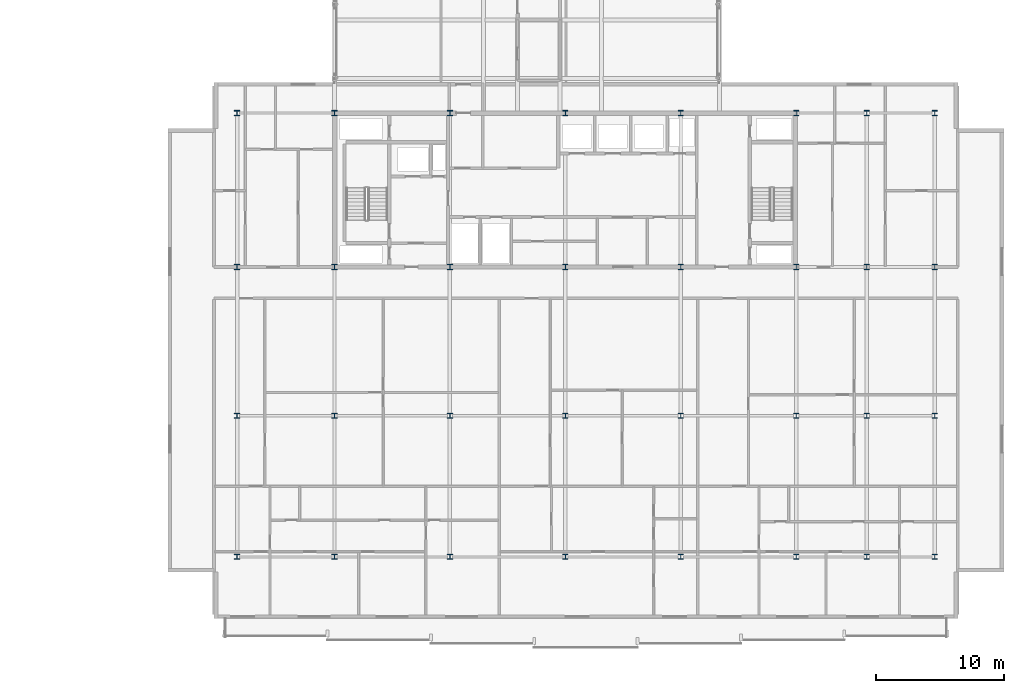
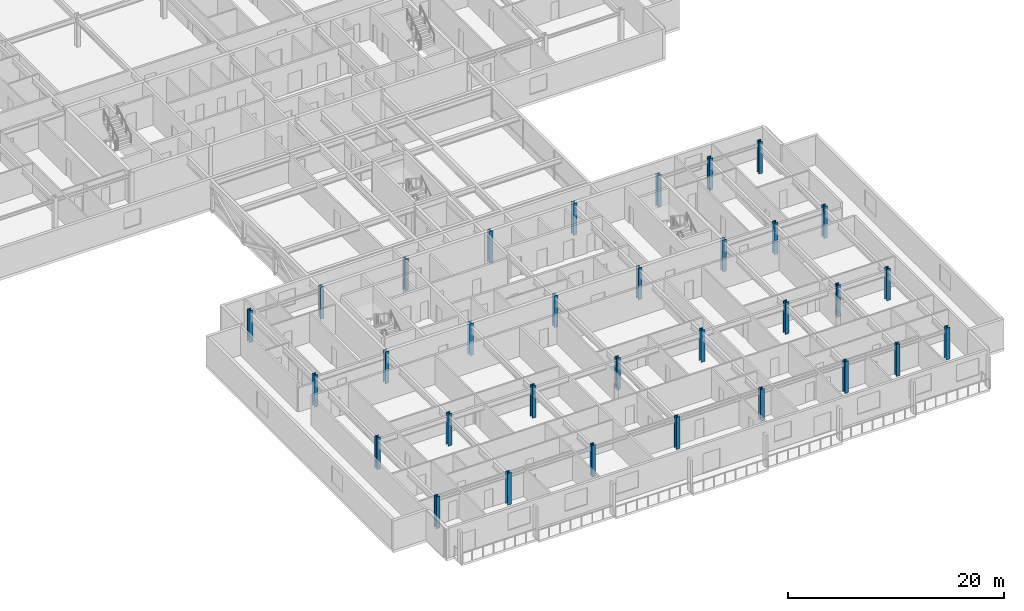
# One storey, part 1 of 36: 32 columns.
"""IFC4 building model written with IfcOpenShell, lengths in metres."""

import ifcopenshell
import ifcopenshell.guid

model = None  # the IFC model being written
_history = None  # IfcOwnerHistory: only IFC2X3 demands one
_inside = {}  # id of a spatial element -> (the spatial element, [elements in it])
_under = {}  # id of a project, library or spatial element -> (it, [spatial elements below it])
_declared = {}  # id of a project -> (the project, [libraries it declares])
_typed = {}  # id of a type object -> (the type object, [elements of that type])
_made_of = {}  # id of a material, layer set ... -> (it, [elements and type objects made of it])


def new_model(schema):
    """Start an empty IFC model of exactly this schema.

    Asked for "IFC4X3", IfcOpenShell would pick the latest addendum, in which some entities
    have other attributes; the version numbers below select the first issue.
    IFC2X3 requires an IfcOwnerHistory on every rooted entity: one is made here for all.
    """
    global model, _history
    if schema == "IFC4X3":
        model = ifcopenshell.file(schema_version=(4, 3, 0, 0))
    else:
        model = ifcopenshell.file(schema=schema)
    _inside.clear()
    _under.clear()
    _declared.clear()
    _typed.clear()
    _made_of.clear()
    _history = None
    if model.schema == "IFC2X3":
        org = make("IfcOrganization", Name="unknown")
        user = make(
            "IfcPersonAndOrganization",
            ThePerson=make("IfcPerson", FamilyName="unknown"),
            TheOrganization=org,
        )
        app = make(
            "IfcApplication",
            ApplicationDeveloper=org,
            Version="unknown",
            ApplicationFullName="unknown",
            ApplicationIdentifier="unknown",
        )
        _history = make(
            "IfcOwnerHistory",
            OwningUser=user,
            OwningApplication=app,
            ChangeAction="ADDED",
            CreationDate=0,
        )
    return model


def make(cls, **values):
    """One entity of the class cls with the attributes given. An attribute that is None is left unset."""
    return model.create_entity(
        cls, **{name: value for name, value in values.items() if value is not None}
    )


def rooted(cls, **values):
    """An entity with a GlobalId (a new one), such as an element, a storey or a relation."""
    return make(cls, GlobalId=ifcopenshell.guid.new(), OwnerHistory=_history, **values)


def si_unit(unit_type, name, prefix=None):
    """IfcSIUnit, for example si_unit("LENGTHUNIT", "METRE", prefix="MILLI")."""
    return make("IfcSIUnit", UnitType=unit_type, Prefix=prefix, Name=name)


def assignment(units):
    """IfcUnitAssignment: the units of a project."""
    return None if units is None else make("IfcUnitAssignment", Units=units)


def point(xyz):
    """IfcCartesianPoint."""
    return None if xyz is None else make("IfcCartesianPoint", Coordinates=xyz)


def direction(xyz):
    """IfcDirection."""
    return None if xyz is None else make("IfcDirection", DirectionRatios=xyz)


def frame(location, z_axis=None, x_axis=None):
    """IfcAxis2Placement3D, a coordinate frame: its origin and axes. An axis left out is left unset."""
    return make(
        "IfcAxis2Placement3D",
        Location=point(location),
        Axis=direction(z_axis),
        RefDirection=direction(x_axis),
    )


def frame_2d(location, x_axis=None):
    """IfcAxis2Placement2D, a coordinate frame in the plane: its origin and x axis."""
    return make(
        "IfcAxis2Placement2D", Location=point(location), RefDirection=direction(x_axis)
    )


def origin():
    """The frame at (0, 0, 0) with its axes left unset."""
    return frame((0.0, 0.0, 0.0))


def origin_2d():
    """The frame at (0, 0) in the plane with its x axis left unset."""
    return frame_2d((0.0, 0.0))


def place(relative_to, where):
    """IfcLocalPlacement: puts the frame where relative to a parent placement (None: the world)."""
    return make(
        "IfcLocalPlacement", PlacementRelTo=relative_to, RelativePlacement=where
    )


def context(
    kind, dimensions, precision=None, world=None, true_north=None, identifier=None
):
    """IfcGeometricRepresentationContext, for example the 3D "Model" context."""
    return make(
        "IfcGeometricRepresentationContext",
        ContextIdentifier=identifier,
        ContextType=kind,
        CoordinateSpaceDimension=dimensions,
        Precision=precision,
        WorldCoordinateSystem=world,
        TrueNorth=true_north,
    )


def subcontext(parent, identifier, kind, view, scale=None):
    """IfcGeometricRepresentationSubContext, for example "Body" below "Model"."""
    return make(
        "IfcGeometricRepresentationSubContext",
        ContextIdentifier=identifier,
        ContextType=kind,
        ParentContext=parent,
        TargetScale=scale,
        TargetView=view,
    )


def project(units=None, contexts=None):
    """IfcProject with its units and contexts."""
    return rooted(
        "IfcProject",
        Name="project",
        RepresentationContexts=contexts,
        UnitsInContext=assignment(units),
    )


def spatial(cls, under=None, at=None, **own):
    """A site, building, storey or space (cls), placed at a placement, below another one or the project."""
    s = rooted(cls, ObjectPlacement=at, **own)
    if under is not None:
        _under.setdefault(under.id(), (under, []))[1].append(s)
    return s


def profile(cls, at=None, kind="AREA", **sizes):
    """A parametric profile (cls). Its sizes go by their IFC names, for example OverallWidth=200.0."""
    return make(cls, ProfileType=kind, Position=at, **sizes)


def i_section(**sizes):
    """IfcIShapeProfileDef."""
    return profile("IfcIShapeProfileDef", **sizes)


def extrude(swept, where, along, depth):
    """IfcExtrudedAreaSolid: the profile swept, set in the frame where, extruded along a direction by depth."""
    return make(
        "IfcExtrudedAreaSolid",
        SweptArea=swept,
        Position=where,
        ExtrudedDirection=direction(along),
        Depth=depth,
    )


def shape(context_of_items, identifier, shape_type, items):
    """IfcShapeRepresentation: the items that make up one representation, for example the "Body"."""
    return make(
        "IfcShapeRepresentation",
        ContextOfItems=context_of_items,
        RepresentationIdentifier=identifier,
        RepresentationType=shape_type,
        Items=items,
    )


def material(Name=None, Category=None):
    """IfcMaterial."""
    return make("IfcMaterial", Name=Name, Category=Category)


def material_profile(
    of_material, cross_section, Name=None, Category=None, Priority=None
):
    """IfcMaterialProfile: a cross section and its material."""
    return make(
        "IfcMaterialProfile",
        Name=Name,
        Material=of_material,
        Profile=cross_section,
        Priority=Priority,
        Category=Category,
    )


def profile_set(profiles, Name=None, composite=None):
    """IfcMaterialProfileSet."""
    return make(
        "IfcMaterialProfileSet",
        Name=Name,
        MaterialProfiles=profiles,
        CompositeProfile=composite,
    )


def made_of(thing, what):
    """Note that an element or type object is made of a material, layer set ...; save() writes the relation."""
    if what is not None:
        _made_of.setdefault(what.id(), (what, []))[1].append(thing)
    return thing


def type_object(cls, material=None, **own):
    """A type object (cls), such as IfcWallType, which elements share."""
    return made_of(rooted(cls, **own), material)


def element(
    cls,
    number,
    at=None,
    inside=None,
    cuts=None,
    type_object=None,
    material=None,
    context=None,
    identifier="Body",
    shape_type=None,
    held_by="IfcProductDefinitionShape",
    body=None,
    shapes=None,
    **own,
):
    """One element of the class cls, such as IfcWall. Its Tag is "e" and its number.

    at: its placement. inside: the storey or other place that contains it. cuts: it is an
    opening in that element (IfcRelVoidsElement). A single representation is given by context,
    identifier, shape_type and body (its items); several are given by shapes. held_by: the class
    of the entity that holds the representations. save() writes the other relations.
    """
    e = rooted(cls, Tag="e%d" % number, ObjectPlacement=at, **own)
    if body is not None:
        shapes = [shape(context, identifier, shape_type, body)]
    if shapes is not None:
        e.Representation = make(held_by, Representations=shapes)
    if inside is not None:
        _inside.setdefault(inside.id(), (inside, []))[1].append(e)
    if cuts is not None:
        rooted(
            "IfcRelVoidsElement", RelatingBuildingElement=cuts, RelatedOpeningElement=e
        )
    if type_object is not None:
        _typed.setdefault(type_object.id(), (type_object, []))[1].append(e)
    return made_of(e, material)


def aggregate(whole, parts):
    """IfcRelAggregates: a whole, such as a stair, and the parts it consists of."""
    return rooted("IfcRelAggregates", RelatingObject=whole, RelatedObjects=parts)


def save(model, path):
    """Write the relations noted so far, then the file.

    IfcRelAggregates (storeys below a building ...), IfcRelContainedInSpatialStructure (elements
    in a storey), IfcRelDefinesByType, IfcRelAssociatesMaterial and IfcRelDeclares: one each for
    every whole, place, type object, material and project.
    """
    for whole, parts in _under.values():
        aggregate(whole, parts)
    for where, things in _inside.values():
        rooted(
            "IfcRelContainedInSpatialStructure",
            RelatedElements=things,
            RelatingStructure=where,
        )
    for kind, things in _typed.values():
        rooted("IfcRelDefinesByType", RelatedObjects=things, RelatingType=kind)
    for what, things in _made_of.values():
        rooted("IfcRelAssociatesMaterial", RelatedObjects=things, RelatingMaterial=what)
    for by, libraries in _declared.values():
        rooted("IfcRelDeclares", RelatingContext=by, RelatedDefinitions=libraries)
    model.write(path)


model = new_model("IFC4")

# Units and contexts
model_context = context("Model", 3, precision=1e-05, world=origin(), true_north=direction((0.0, 1.0)))
body_context = subcontext(model_context, "Body", "Model", "MODEL_VIEW")
ifc_project = project(units=[si_unit("LENGTHUNIT", "METRE"), si_unit("AREAUNIT", "SQUARE_METRE"), si_unit("VOLUMEUNIT", "CUBIC_METRE"), si_unit("PLANEANGLEUNIT", "RADIAN"), si_unit("MASSUNIT", "GRAM", prefix="KILO")], contexts=[model_context])

# Site, building, storey
site_placement = place(None, origin())
site = spatial("IfcSite", under=ifc_project, at=site_placement, CompositionType="ELEMENT")
building_placement = place(site_placement, origin())
building = spatial("IfcBuilding", under=site, at=building_placement, Name="Korimba Cascade Residences", CompositionType="ELEMENT")
storey_placement = place(building_placement, frame((0.0, 0.0, 139.300048828125)))
storey = spatial("IfcBuildingStorey", under=building, at=storey_placement, Name="L40", CompositionType="ELEMENT", Elevation=139.300048828125)

# Columns
ifc_material = material(Name="Steel S460", Category="steel")
ifc_material_profile = material_profile(ifc_material, i_section(OverallWidth=0.403076171875, OverallDepth=0.406494140625, WebThickness=0.026611328125, FlangeThickness=0.04296875, FilletRadius=0.01513671875, at=origin_2d()), Name="Steel S460")
ifc_profile_set = profile_set([ifc_material_profile], Name="Steel S460")
column_type = type_object("IfcColumnType", Name="COL-STL-UC340", PredefinedType="COLUMN", material=ifc_profile_set)
for number, where, z_axis, x_axis, name in (
    (1, (74.5, -4.199951171875, 0.0), (0.0, 0.0, 1.0), (1.0, 0.0, 0.0), "L40 Tower 2 Column 1.1"),
    (2, (74.5, 6.800048828125, 0.0), (0.0, 0.0, 1.0), (1.0, 0.0, 0.0), "L40 Tower 2 Column 1.2"),
    (3, (74.5, 18.39990234375, 0.0), (0.0, 0.0, 1.0), (1.0, 0.0, 0.0), "L40 Tower 2 Column 1.3"),
    (4, (74.5, 30.39990234375, 0.0), (0.0, 0.0, 1.0), (1.0, 0.0, 0.0), "L40 Tower 2 Column 1.4"),
    (5, (82.10009765625, -4.199951171875, 0.0), (0.0, 0.0, 1.0), (1.0, 0.0, 0.0), "L40 Tower 2 Column 2.1"),
    (6, (82.10009765625, 6.800048828125, 0.0), (0.0, 0.0, 1.0), (1.0, 0.0, 0.0), "L40 Tower 2 Column 2.2"),
    (7, (82.10009765625, 18.39990234375, 0.0), (0.0, 0.0, 1.0), (1.0, 0.0, 0.0), "L40 Tower 2 Column 2.3"),
    (8, (82.10009765625, 30.39990234375, 0.0), (0.0, 0.0, 1.0), (1.0, 0.0, 0.0), "L40 Tower 2 Column 2.4"),
    (9, (91.10009765625, -4.199951171875, 0.0), (0.0, 0.0, 1.0), (1.0, 0.0, 0.0), "L40 Tower 2 Column 3.1"),
    (10, (91.10009765625, 6.800048828125, 0.0), (0.0, 0.0, 1.0), (1.0, 0.0, 0.0), "L40 Tower 2 Column 3.2"),
    (11, (91.10009765625, 18.39990234375, 0.0), (0.0, 0.0, 1.0), (1.0, 0.0, 0.0), "L40 Tower 2 Column 3.3"),
    (12, (91.10009765625, 30.39990234375, 0.0), (0.0, 0.0, 1.0), (1.0, 0.0, 0.0), "L40 Tower 2 Column 3.4"),
    (13, (100.10009765625, -4.199951171875, 0.0), (0.0, 0.0, 1.0), (1.0, 0.0, 0.0), "L40 Tower 2 Column 4.1"),
    (14, (100.10009765625, 6.800048828125, 0.0), (0.0, 0.0, 1.0), (1.0, 0.0, 0.0), "L40 Tower 2 Column 4.2"),
    (15, (100.10009765625, 18.39990234375, 0.0), (0.0, 0.0, 1.0), (1.0, 0.0, 0.0), "L40 Tower 2 Column 4.3"),
    (16, (100.10009765625, 30.39990234375, 0.0), (0.0, 0.0, 1.0), (1.0, 0.0, 0.0), "L40 Tower 2 Column 4.4"),
    (17, (109.10009765625, -4.199951171875, 0.0), (0.0, 0.0, 1.0), (1.0, 0.0, 0.0), "L40 Tower 2 Column 5.1"),
    (18, (109.10009765625, 6.800048828125, 0.0), (0.0, 0.0, 1.0), (1.0, 0.0, 0.0), "L40 Tower 2 Column 5.2"),
    (19, (109.10009765625, 18.39990234375, 0.0), (0.0, 0.0, 1.0), (1.0, 0.0, 0.0), "L40 Tower 2 Column 5.3"),
    (20, (109.10009765625, 30.39990234375, 0.0), (0.0, 0.0, 1.0), (1.0, 0.0, 0.0), "L40 Tower 2 Column 5.4"),
    (21, (118.10009765625, -4.199951171875, 0.0), (0.0, 0.0, 1.0), (1.0, 0.0, 0.0), "L40 Tower 2 Column 6.1"),
    (22, (118.10009765625, 6.800048828125, 0.0), (0.0, 0.0, 1.0), (1.0, 0.0, 0.0), "L40 Tower 2 Column 6.2"),
    (23, (118.10009765625, 18.39990234375, 0.0), (0.0, 0.0, 1.0), (1.0, 0.0, 0.0), "L40 Tower 2 Column 6.3"),
    (24, (118.10009765625, 30.39990234375, 0.0), (0.0, 0.0, 1.0), (1.0, 0.0, 0.0), "L40 Tower 2 Column 6.4"),
    (25, (123.60009765625, -4.199951171875, 0.0), (0.0, 0.0, 1.0), (1.0, 0.0, 0.0), "L40 Tower 2 Column 7.1"),
    (26, (123.60009765625, 6.800048828125, 0.0), (0.0, 0.0, 1.0), (1.0, 0.0, 0.0), "L40 Tower 2 Column 7.2"),
    (27, (123.60009765625, 18.39990234375, 0.0), (0.0, 0.0, 1.0), (1.0, 0.0, 0.0), "L40 Tower 2 Column 7.3"),
    (28, (123.60009765625, 30.39990234375, 0.0), (0.0, 0.0, 1.0), (1.0, 0.0, 0.0), "L40 Tower 2 Column 7.4"),
    (29, (128.89990234375, -4.199951171875, 0.0), (0.0, 0.0, 1.0), (1.0, 0.0, 0.0), "L40 Tower 2 Column 8.1"),
    (30, (128.89990234375, 6.800048828125, 0.0), (0.0, 0.0, 1.0), (1.0, 0.0, 0.0), "L40 Tower 2 Column 8.2"),
    (31, (128.89990234375, 18.39990234375, 0.0), (0.0, 0.0, 1.0), (1.0, 0.0, 0.0), "L40 Tower 2 Column 8.3"),
    (32, (128.89990234375, 30.39990234375, 0.0), (0.0, 0.0, 1.0), (1.0, 0.0, 0.0), "L40 Tower 2 Column 8.4"),
):
    element("IfcColumn", number, at=place(storey_placement, frame(where, z_axis=z_axis, x_axis=x_axis)), inside=storey, type_object=column_type, Name=name, PredefinedType="COLUMN", context=body_context, shape_type="SweptSolid", body=[
        extrude(i_section(OverallWidth=0.403076171875, OverallDepth=0.406494140625, WebThickness=0.026611328125, FlangeThickness=0.04296875, FilletRadius=0.01513671875, at=origin_2d()), origin(), (0.0, 0.0, 1.0), 3.599853515625),
    ])

save(model, "model.ifc")
